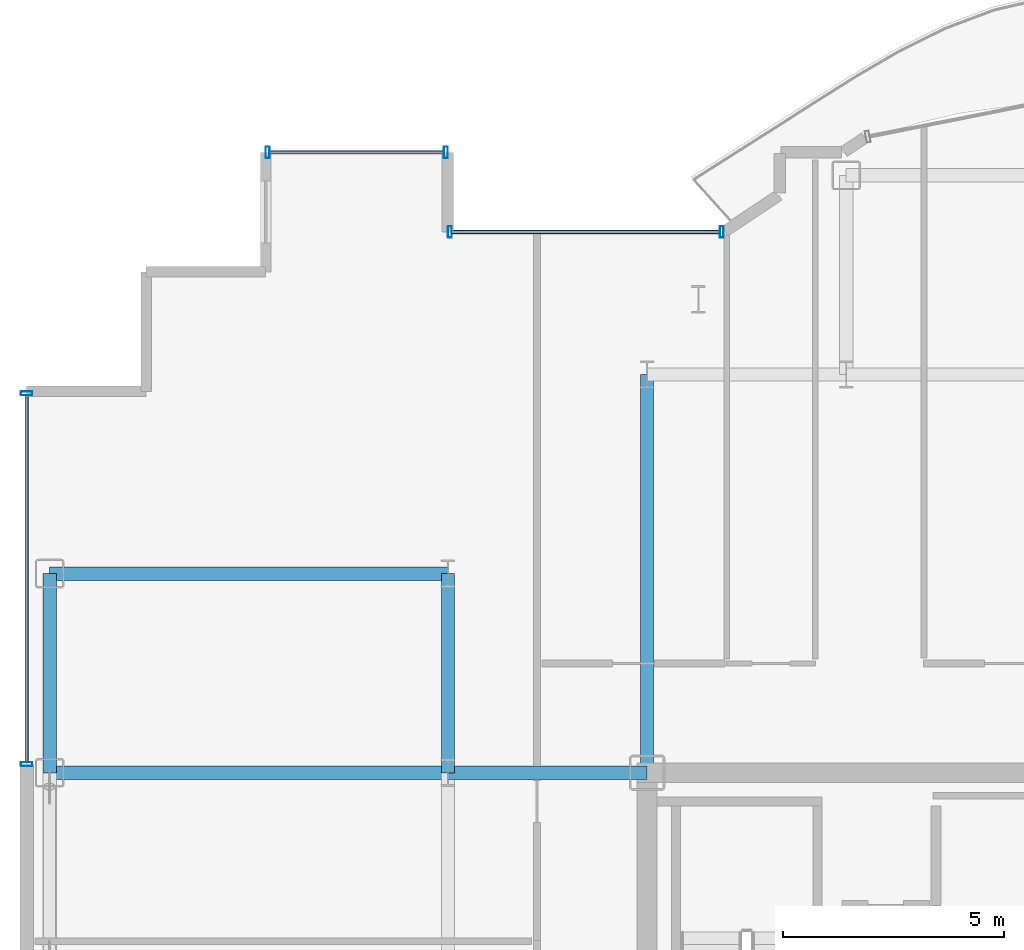
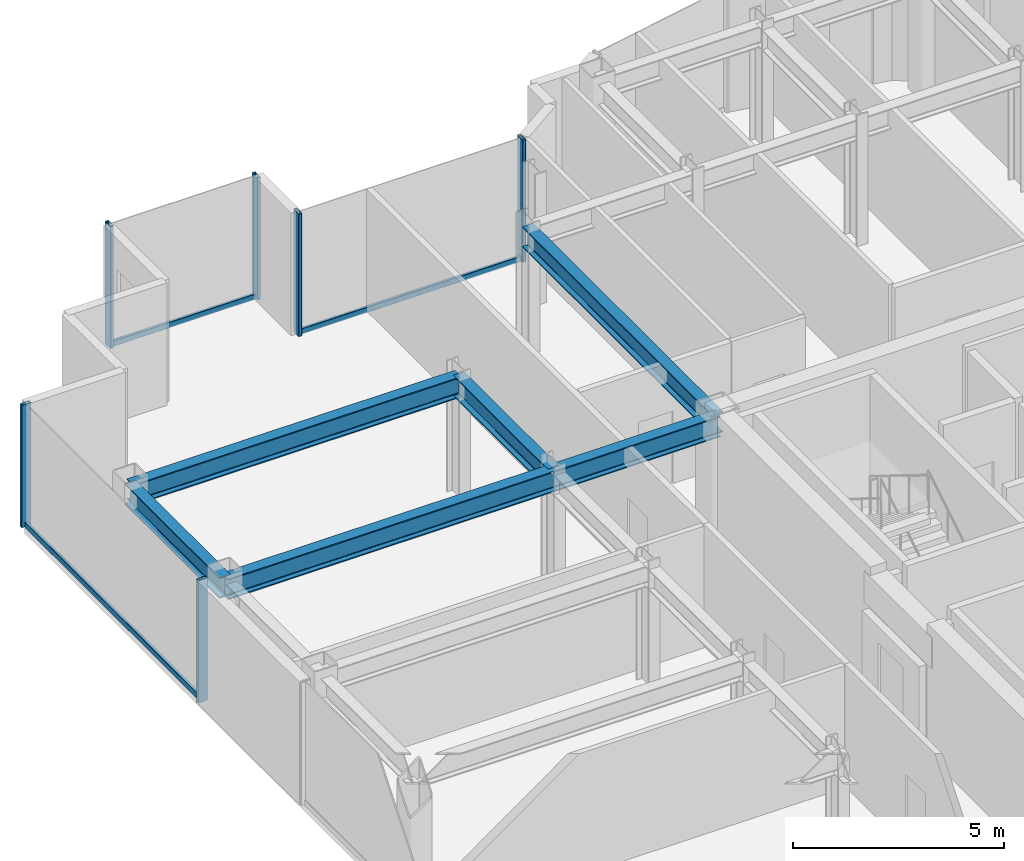
# One storey, part 7 of 17: 9 members, 6 beams, 3 elements without a shape of their own.
"""IFC4 building model written with IfcOpenShell, lengths in metres."""

from ifc_helpers import new_model, si_unit, direction, frame, origin, origin_2d, place, context, subcontext, project, spatial, hollow_rectangle, i_section, extrude, source, transform, mapped, material, layer, layer_set, material_profile, profile_set, type_object, element, aggregate, save


model = new_model("IFC4")

# Units and contexts
model_context = context("Model", 3, precision=1e-05, world=origin(), true_north=direction((0.0, 1.0)))
body_context = subcontext(model_context, "Body", "Model", "MODEL_VIEW")
ifc_project = project(units=[si_unit("LENGTHUNIT", "METRE"), si_unit("AREAUNIT", "SQUARE_METRE"), si_unit("VOLUMEUNIT", "CUBIC_METRE"), si_unit("PLANEANGLEUNIT", "RADIAN"), si_unit("MASSUNIT", "GRAM", prefix="KILO")], contexts=[model_context])

# Site, building, storey
site_placement = place(None, origin())
site = spatial("IfcSite", under=ifc_project, at=site_placement, CompositionType="ELEMENT")
building_placement = place(site_placement, origin())
building = spatial("IfcBuilding", under=site, at=building_placement, Name="Nefas-Gora Pilgrimage Tower", CompositionType="ELEMENT")
storey_placement = place(building_placement, frame((0.0, 0.0, 264.60009765625)))
storey = spatial("IfcBuildingStorey", under=building, at=storey_placement, Name="L66", CompositionType="ELEMENT", Elevation=264.60009765625)

# Beams
ifc_material_1 = material(Name="Steel S355", Category="steel")
ifc_material_profile_1 = material_profile(ifc_material_1, i_section(OverallWidth=0.300048828125, OverallDepth=0.60009765625, WebThickness=0.015380859375, FlangeThickness=0.030029296875, FilletRadius=0.027099609375, at=origin_2d()), Name="HEB 600")
ifc_profile_set_1 = profile_set([ifc_material_profile_1], Name="Steel S355")
beam_type_1 = type_object("IfcBeamType", Name="BM-SPN-HEB450", PredefinedType="SPANDREL", material=ifc_profile_set_1)
shared_shape_1 = source(origin(), body_context, "Body", "SweptSolid", [
    extrude(i_section(OverallWidth=0.300048828125, OverallDepth=0.60009765625, WebThickness=0.015380859375, FlangeThickness=0.030029296875, FilletRadius=0.027099609375, at=origin_2d()), origin(), (0.0, 0.0, 1.0), 4.5),
])
beam_placement = place(storey_placement, frame((-24.75, 9.0, 3.25), z_axis=(0.0, 1.0, 0.0), x_axis=(-1.0, 0.0, 0.0)))
element("IfcBeam", 1, at=beam_placement, inside=storey, type_object=beam_type_1, Name="L66 SP-03 beam", PredefinedType="SPANDREL", context=body_context, shape_type="MappedRepresentation", body=[
    mapped(shared_shape_1, transform((0.0, 0.0, 0.0), x_axis=(1.0, 0.0, 0.0), y_axis=(0.0, 1.0, 0.0), z_axis=(0.0, 0.0, 1.0), scale=1.0)),
])
ifc_material_profile_2 = material_profile(ifc_material_1, i_section(OverallWidth=0.300048828125, OverallDepth=0.60009765625, WebThickness=0.015380859375, FlangeThickness=0.030029296875, FilletRadius=0.027099609375, at=origin_2d()), Name="HEB 600")
ifc_profile_set_2 = profile_set([ifc_material_profile_2], Name="Steel S355")
beam_type_2 = type_object("IfcBeamType", Name="BM-GIR-HEB600", PredefinedType="BEAM", material=ifc_profile_set_2)
shared_shape_2 = source(origin(), body_context, "Body", "SweptSolid", [
    extrude(i_section(OverallWidth=0.300048828125, OverallDepth=0.60009765625, WebThickness=0.015380859375, FlangeThickness=0.030029296875, FilletRadius=0.027099609375, at=origin_2d()), origin(), (0.0, 0.0, 1.0), 9.0),
])
for number, where, z_axis, x_axis, name in (
    (2, (-24.75, 9.0, 3.25), (1.0, 0.0, 0.0), (0.0, 1.0, 0.0), "L66 G-04 beam"),
    (3, (-24.75, 13.5, 3.25), (1.0, 0.0, 0.0), (0.0, 1.0, 0.0), "L66 G-04 beam"),
    (4, (-11.25, 9.0, 3.25), (0.0, 1.0, 0.0), (-1.0, 0.0, 0.0), "L66 G-04 beam"),
):
    element("IfcBeam", number, at=place(storey_placement, frame(where, z_axis=z_axis, x_axis=x_axis)), inside=storey, type_object=beam_type_2, Name=name, PredefinedType="BEAM", context=body_context, shape_type="MappedRepresentation", body=[
        mapped(shared_shape_2, transform((0.0, 0.0, 0.0), x_axis=(1.0, 0.0, 0.0), y_axis=(0.0, 1.0, 0.0), z_axis=(0.0, 0.0, 1.0), scale=1.0)),
    ])
shared_shape_3 = source(origin(), body_context, "Body", "SweptSolid", [
    extrude(i_section(OverallWidth=0.300048828125, OverallDepth=0.60009765625, WebThickness=0.015380859375, FlangeThickness=0.030029296875, FilletRadius=0.027099609375, at=origin_2d()), origin(), (0.0, 0.0, 1.0), 4.5),
])
for number, where, z_axis, x_axis, name in (
    (5, (-15.75, 9.0, 3.25), (0.0, 1.0, 0.0), (-1.0, 0.0, 0.0), "L66 G-04 beam"),
    (6, (-15.75, 9.0, 3.25), (1.0, 0.0, 0.0), (0.0, 1.0, 0.0), "L66 G-04 beam"),
):
    element("IfcBeam", number, at=place(storey_placement, frame(where, z_axis=z_axis, x_axis=x_axis)), inside=storey, type_object=beam_type_2, Name=name, PredefinedType="BEAM", context=body_context, shape_type="MappedRepresentation", body=[
        mapped(shared_shape_3, transform((0.0, 0.0, 0.0), x_axis=(1.0, 0.0, 0.0), y_axis=(0.0, 1.0, 0.0), z_axis=(0.0, 0.0, 1.0), scale=1.0)),
    ])

# Curtain wall, members
ifc_material_2 = material(Name="Dark ceramic-fritted solar-control aluminium-glass curtain wall", Category="aluminium")
ifc_layer_1 = layer(ifc_material_2, 0.219970703125)
ifc_layer_set_1 = layer_set([ifc_layer_1], Name="Dark ceramic-fritted solar-control aluminium-glass curtain wall")
curtain_wall_type_1 = type_object("IfcCurtainWallType", Name="CW-SYS-5", PredefinedType="NOTDEFINED", material=ifc_layer_set_1)
curtain_wall_1_placement = place(storey_placement, origin())
curtain_wall_1 = element("IfcCurtainWall", 7, at=curtain_wall_1_placement, inside=storey, type_object=curtain_wall_type_1, Name="L66 Unitised Curtain Wall CW5", PredefinedType="NOTDEFINED")
ifc_material_3 = material(Name="Anodised architectural aluminium", Category="aluminium")
ifc_material_profile_3 = material_profile(ifc_material_3, hollow_rectangle(XDim=0.080078125, YDim=0.159912109375, WallThickness=0.00439453125, InnerFilletRadius=0.00439453125, OuterFilletRadius=0.009033203125, at=origin_2d()), Name="ALU TRANSOM 80x160")
ifc_profile_set_3 = profile_set([ifc_material_profile_3], Name="Anodised architectural aluminium")
member_type_1 = type_object("IfcMemberType", Name="CWM-TRN-5", PredefinedType="USERDEFINED", material=ifc_profile_set_3)
shared_shape_4 = source(origin(), body_context, "Body", "SweptSolid", [
    extrude(hollow_rectangle(XDim=0.080078125, YDim=0.159912109375, WallThickness=0.00439453125, InnerFilletRadius=0.00439453125, OuterFilletRadius=0.009033203125, at=origin_2d()), origin(), (0.0, 0.0, 1.0), 6.052001953125),
])
member_1_placement = place(storey_placement, frame((-9.60791015625, 21.219970703125, 0.0498046875), z_axis=(-1.0, 0.0, 0.0), x_axis=(0.0, -1.0, 0.0)))
member_1 = element("IfcMember", 8, at=member_1_placement, type_object=member_type_1, Name="CW5 Spandrel Transom", ObjectType="TRANSOM", PredefinedType="USERDEFINED", context=body_context, shape_type="MappedRepresentation", body=[
    mapped(shared_shape_4, transform((0.0, 0.0, 0.0), x_axis=(1.0, 0.0, 0.0), y_axis=(0.0, 1.0, 0.0), z_axis=(0.0, 0.0, 1.0), scale=1.0)),
])
ifc_material_profile_4 = material_profile(ifc_material_3, hollow_rectangle(XDim=0.090087890625, YDim=0.260009765625, WallThickness=0.006103515625, InnerFilletRadius=0.006103515625, OuterFilletRadius=0.011962890625, at=origin_2d()), Name="ALU MULLION 90x260")
ifc_profile_set_4 = profile_set([ifc_material_profile_4], Name="Anodised architectural aluminium")
member_type_2 = type_object("IfcMemberType", Name="CWM-MUL-5", PredefinedType="MULLION", material=ifc_profile_set_4)
shared_shape_5 = source(origin(), body_context, "Body", "SweptSolid", [
    extrude(hollow_rectangle(XDim=0.090087890625, YDim=0.260009765625, WallThickness=0.006103515625, InnerFilletRadius=0.006103515625, OuterFilletRadius=0.011962890625, at=origin_2d()), origin(), (0.0, 0.0, 1.0), 3.5498046875),
])
member_2_placement = place(storey_placement, frame((-9.56298828125, 21.219970703125, 0.0), z_axis=(0.0, 0.0, 1.0), x_axis=(-1.0, 0.0, 0.0)))
member_2 = element("IfcMember", 9, at=member_2_placement, type_object=member_type_2, Name="CW5 Mullion 1", PredefinedType="MULLION", context=body_context, shape_type="MappedRepresentation", body=[
    mapped(shared_shape_5, transform((0.0, 0.0, 0.0), x_axis=(1.0, 0.0, 0.0), y_axis=(0.0, 1.0, 0.0), z_axis=(0.0, 0.0, 1.0), scale=1.0)),
])
member_3_placement = place(storey_placement, frame((-15.705078125, 21.219970703125, 0.0), z_axis=(0.0, 0.0, 1.0), x_axis=(-1.0, 0.0, 0.0)))
member_3 = element("IfcMember", 10, at=member_3_placement, type_object=member_type_2, Name="CW5 Mullion 2", PredefinedType="MULLION", context=body_context, shape_type="MappedRepresentation", body=[
    mapped(shared_shape_5, transform((0.0, 0.0, 0.0), x_axis=(1.0, 0.0, 0.0), y_axis=(0.0, 1.0, 0.0), z_axis=(0.0, 0.0, 1.0), scale=1.0)),
])
aggregate(curtain_wall_1, [member_2, member_3, member_1])

ifc_layer_2 = layer(ifc_material_2, 0.219970703125)
ifc_layer_set_2 = layer_set([ifc_layer_2], Name="Dark ceramic-fritted solar-control aluminium-glass curtain wall")
curtain_wall_type_2 = type_object("IfcCurtainWallType", Name="CW-SYS-4", PredefinedType="NOTDEFINED", material=ifc_layer_set_2)
curtain_wall_2_placement = place(storey_placement, origin())
curtain_wall_2 = element("IfcCurtainWall", 11, at=curtain_wall_2_placement, inside=storey, type_object=curtain_wall_type_2, Name="L66 Unitised Curtain Wall CW4", PredefinedType="NOTDEFINED")
ifc_material_profile_5 = material_profile(ifc_material_3, hollow_rectangle(XDim=0.090087890625, YDim=0.260009765625, WallThickness=0.006103515625, InnerFilletRadius=0.006103515625, OuterFilletRadius=0.011962890625, at=origin_2d()), Name="ALU MULLION 90x260")
ifc_profile_set_5 = profile_set([ifc_material_profile_5], Name="Anodised architectural aluminium")
member_type_3 = type_object("IfcMemberType", Name="CWM-MUL-4", PredefinedType="MULLION", material=ifc_profile_set_5)
shared_shape_6 = source(origin(), body_context, "Body", "SweptSolid", [
    extrude(hollow_rectangle(XDim=0.090087890625, YDim=0.260009765625, WallThickness=0.006103515625, InnerFilletRadius=0.006103515625, OuterFilletRadius=0.011962890625, at=origin_2d()), origin(), (0.0, 0.0, 1.0), 3.5498046875),
])
member_4_placement = place(storey_placement, frame((-15.794921875, 23.02001953125, 0.0), z_axis=(0.0, 0.0, 1.0), x_axis=(-1.0, 0.0, 0.0)))
member_4 = element("IfcMember", 12, at=member_4_placement, type_object=member_type_3, Name="CW4 Mullion 1", PredefinedType="MULLION", context=body_context, shape_type="MappedRepresentation", body=[
    mapped(shared_shape_6, transform((0.0, 0.0, 0.0), x_axis=(1.0, 0.0, 0.0), y_axis=(0.0, 1.0, 0.0), z_axis=(0.0, 0.0, 1.0), scale=1.0)),
])
member_5_placement = place(storey_placement, frame((-19.824951171875, 23.02001953125, 0.0), z_axis=(0.0, 0.0, 1.0), x_axis=(-1.0, 0.0, 0.0)))
member_5 = element("IfcMember", 13, at=member_5_placement, type_object=member_type_3, Name="CW4 Mullion 2", PredefinedType="MULLION", context=body_context, shape_type="MappedRepresentation", body=[
    mapped(shared_shape_6, transform((0.0, 0.0, 0.0), x_axis=(1.0, 0.0, 0.0), y_axis=(0.0, 1.0, 0.0), z_axis=(0.0, 0.0, 1.0), scale=1.0)),
])

curtain_wall_3_placement = place(storey_placement, origin())
curtain_wall_3 = element("IfcCurtainWall", 14, at=curtain_wall_3_placement, inside=storey, type_object=curtain_wall_type_2, Name="L66 Unitised Curtain Wall CW4", PredefinedType="NOTDEFINED")
member_6_placement = place(storey_placement, frame((-25.27001953125, 17.574951171875, 0.0), z_axis=(0.0, 0.0, 1.0), x_axis=(0.0, -1.0, 0.0)))
member_6 = element("IfcMember", 15, at=member_6_placement, type_object=member_type_3, Name="CW4 Mullion 1", PredefinedType="MULLION", context=body_context, shape_type="MappedRepresentation", body=[
    mapped(shared_shape_6, transform((0.0, 0.0, 0.0), x_axis=(1.0, 0.0, 0.0), y_axis=(0.0, 1.0, 0.0), z_axis=(0.0, 0.0, 1.0), scale=1.0)),
])
member_7_placement = place(storey_placement, frame((-25.27001953125, 9.195068359375, 0.0), z_axis=(0.0, 0.0, 1.0), x_axis=(0.0, -1.0, 0.0)))
member_7 = element("IfcMember", 16, at=member_7_placement, type_object=member_type_3, Name="CW4 Mullion 2", PredefinedType="MULLION", context=body_context, shape_type="MappedRepresentation", body=[
    mapped(shared_shape_6, transform((0.0, 0.0, 0.0), x_axis=(1.0, 0.0, 0.0), y_axis=(0.0, 1.0, 0.0), z_axis=(0.0, 0.0, 1.0), scale=1.0)),
])
ifc_material_profile_6 = material_profile(ifc_material_3, hollow_rectangle(XDim=0.080078125, YDim=0.159912109375, WallThickness=0.00439453125, InnerFilletRadius=0.00439453125, OuterFilletRadius=0.009033203125, at=origin_2d()), Name="ALU TRANSOM 80x160")
ifc_profile_set_6 = profile_set([ifc_material_profile_6], Name="Anodised architectural aluminium")
member_type_4 = type_object("IfcMemberType", Name="CWM-TRN-4", PredefinedType="USERDEFINED", material=ifc_profile_set_6)
shared_shape_7 = source(origin(), body_context, "Body", "SweptSolid", [
    extrude(hollow_rectangle(XDim=0.080078125, YDim=0.159912109375, WallThickness=0.00439453125, InnerFilletRadius=0.00439453125, OuterFilletRadius=0.009033203125, at=origin_2d()), origin(), (0.0, 0.0, 1.0), 8.2900390625),
])
member_8_placement = place(storey_placement, frame((-25.27001953125, 17.530029296875, 0.0498046875), z_axis=(0.0, -1.0, 0.0), x_axis=(1.0, 0.0, 0.0)))
member_8 = element("IfcMember", 17, at=member_8_placement, type_object=member_type_4, Name="CW4 Spandrel Transom", ObjectType="TRANSOM", PredefinedType="USERDEFINED", context=body_context, shape_type="MappedRepresentation", body=[
    mapped(shared_shape_7, transform((0.0, 0.0, 0.0), x_axis=(1.0, 0.0, 0.0), y_axis=(0.0, 1.0, 0.0), z_axis=(0.0, 0.0, 1.0), scale=1.0)),
])
aggregate(curtain_wall_3, [member_6, member_7, member_8])

# Member
shared_shape_8 = source(origin(), body_context, "Body", "SweptSolid", [
    extrude(hollow_rectangle(XDim=0.080078125, YDim=0.159912109375, WallThickness=0.00439453125, InnerFilletRadius=0.00439453125, OuterFilletRadius=0.009033203125, at=origin_2d()), origin(), (0.0, 0.0, 1.0), 3.93994140625),
])
member_9_placement = place(storey_placement, frame((-15.840087890625, 23.02001953125, 0.0498046875), z_axis=(-1.0, 0.0, 0.0), x_axis=(0.0, -1.0, 0.0)))
member_9 = element("IfcMember", 18, at=member_9_placement, type_object=member_type_4, Name="CW4 Spandrel Transom", ObjectType="TRANSOM", PredefinedType="USERDEFINED", context=body_context, shape_type="MappedRepresentation", body=[
    mapped(shared_shape_8, transform((0.0, 0.0, 0.0), x_axis=(1.0, 0.0, 0.0), y_axis=(0.0, 1.0, 0.0), z_axis=(0.0, 0.0, 1.0), scale=1.0)),
])

aggregate(curtain_wall_2, [member_4, member_5, member_9])

save(model, "model.ifc")
